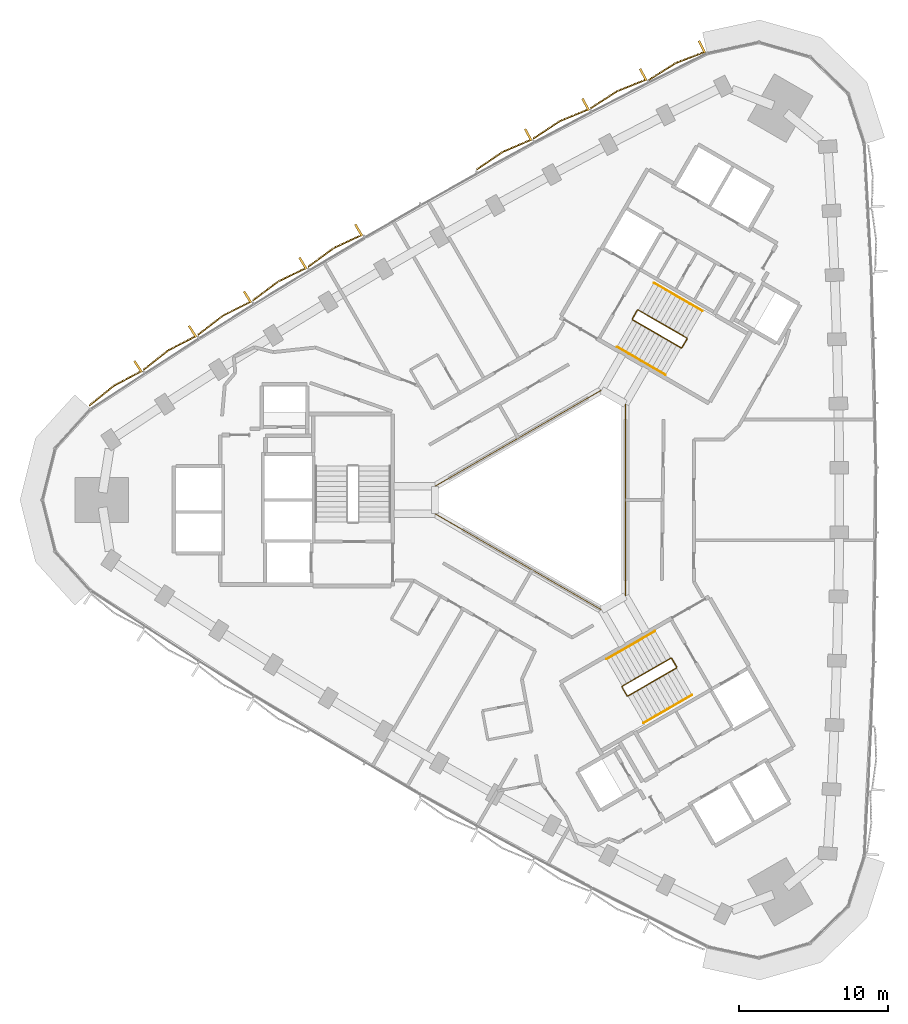
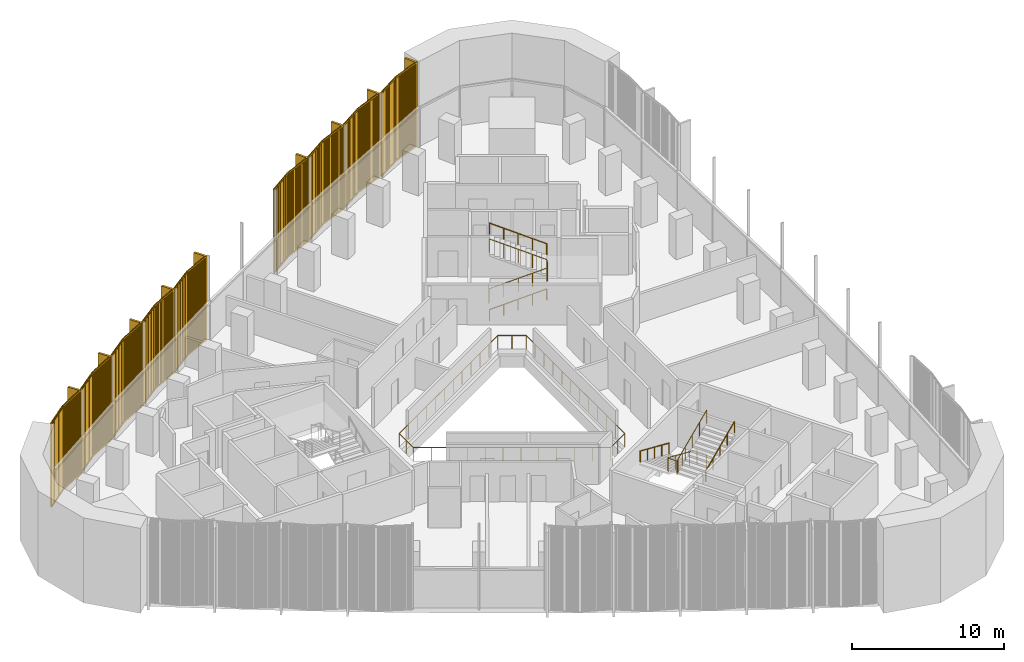
# One storey, part 13 of 14: 9 coverings, 7 railings.
"""IFC4 building model written with IfcOpenShell, lengths in metres."""

import ifcopenshell
import ifcopenshell.guid

model = None  # the IFC model being written
_history = None  # IfcOwnerHistory: only IFC2X3 demands one
_inside = {}  # id of a spatial element -> (the spatial element, [elements in it])
_under = {}  # id of a project, library or spatial element -> (it, [spatial elements below it])
_declared = {}  # id of a project -> (the project, [libraries it declares])
_typed = {}  # id of a type object -> (the type object, [elements of that type])
_made_of = {}  # id of a material, layer set ... -> (it, [elements and type objects made of it])


def new_model(schema):
    """Start an empty IFC model of exactly this schema.

    Asked for "IFC4X3", IfcOpenShell would pick the latest addendum, in which some entities
    have other attributes; the version numbers below select the first issue.
    IFC2X3 requires an IfcOwnerHistory on every rooted entity: one is made here for all.
    """
    global model, _history
    if schema == "IFC4X3":
        model = ifcopenshell.file(schema_version=(4, 3, 0, 0))
    else:
        model = ifcopenshell.file(schema=schema)
    _inside.clear()
    _under.clear()
    _declared.clear()
    _typed.clear()
    _made_of.clear()
    _history = None
    if model.schema == "IFC2X3":
        org = make("IfcOrganization", Name="unknown")
        user = make(
            "IfcPersonAndOrganization",
            ThePerson=make("IfcPerson", FamilyName="unknown"),
            TheOrganization=org,
        )
        app = make(
            "IfcApplication",
            ApplicationDeveloper=org,
            Version="unknown",
            ApplicationFullName="unknown",
            ApplicationIdentifier="unknown",
        )
        _history = make(
            "IfcOwnerHistory",
            OwningUser=user,
            OwningApplication=app,
            ChangeAction="ADDED",
            CreationDate=0,
        )
    return model


def make(cls, **values):
    """One entity of the class cls with the attributes given. An attribute that is None is left unset."""
    return model.create_entity(
        cls, **{name: value for name, value in values.items() if value is not None}
    )


def rooted(cls, **values):
    """An entity with a GlobalId (a new one), such as an element, a storey or a relation."""
    return make(cls, GlobalId=ifcopenshell.guid.new(), OwnerHistory=_history, **values)


def si_unit(unit_type, name, prefix=None):
    """IfcSIUnit, for example si_unit("LENGTHUNIT", "METRE", prefix="MILLI")."""
    return make("IfcSIUnit", UnitType=unit_type, Prefix=prefix, Name=name)


def assignment(units):
    """IfcUnitAssignment: the units of a project."""
    return None if units is None else make("IfcUnitAssignment", Units=units)


def point(xyz):
    """IfcCartesianPoint."""
    return None if xyz is None else make("IfcCartesianPoint", Coordinates=xyz)


def direction(xyz):
    """IfcDirection."""
    return None if xyz is None else make("IfcDirection", DirectionRatios=xyz)


def frame(location, z_axis=None, x_axis=None):
    """IfcAxis2Placement3D, a coordinate frame: its origin and axes. An axis left out is left unset."""
    return make(
        "IfcAxis2Placement3D",
        Location=point(location),
        Axis=direction(z_axis),
        RefDirection=direction(x_axis),
    )


def frame_2d(location, x_axis=None):
    """IfcAxis2Placement2D, a coordinate frame in the plane: its origin and x axis."""
    return make(
        "IfcAxis2Placement2D", Location=point(location), RefDirection=direction(x_axis)
    )


def origin():
    """The frame at (0, 0, 0) with its axes left unset."""
    return frame((0.0, 0.0, 0.0))


def origin_2d():
    """The frame at (0, 0) in the plane with its x axis left unset."""
    return frame_2d((0.0, 0.0))


def place(relative_to, where):
    """IfcLocalPlacement: puts the frame where relative to a parent placement (None: the world)."""
    return make(
        "IfcLocalPlacement", PlacementRelTo=relative_to, RelativePlacement=where
    )


def context(
    kind, dimensions, precision=None, world=None, true_north=None, identifier=None
):
    """IfcGeometricRepresentationContext, for example the 3D "Model" context."""
    return make(
        "IfcGeometricRepresentationContext",
        ContextIdentifier=identifier,
        ContextType=kind,
        CoordinateSpaceDimension=dimensions,
        Precision=precision,
        WorldCoordinateSystem=world,
        TrueNorth=true_north,
    )


def subcontext(parent, identifier, kind, view, scale=None):
    """IfcGeometricRepresentationSubContext, for example "Body" below "Model"."""
    return make(
        "IfcGeometricRepresentationSubContext",
        ContextIdentifier=identifier,
        ContextType=kind,
        ParentContext=parent,
        TargetScale=scale,
        TargetView=view,
    )


def project(units=None, contexts=None):
    """IfcProject with its units and contexts."""
    return rooted(
        "IfcProject",
        Name="project",
        RepresentationContexts=contexts,
        UnitsInContext=assignment(units),
    )


def spatial(cls, under=None, at=None, **own):
    """A site, building, storey or space (cls), placed at a placement, below another one or the project."""
    s = rooted(cls, ObjectPlacement=at, **own)
    if under is not None:
        _under.setdefault(under.id(), (under, []))[1].append(s)
    return s


def profile(cls, at=None, kind="AREA", **sizes):
    """A parametric profile (cls). Its sizes go by their IFC names, for example OverallWidth=200.0."""
    return make(cls, ProfileType=kind, Position=at, **sizes)


def rectangle(**sizes):
    """IfcRectangleProfileDef."""
    return profile("IfcRectangleProfileDef", **sizes)


def circle(**sizes):
    """IfcCircleProfileDef."""
    return profile("IfcCircleProfileDef", **sizes)


def extrude(swept, where, along, depth):
    """IfcExtrudedAreaSolid: the profile swept, set in the frame where, extruded along a direction by depth."""
    return make(
        "IfcExtrudedAreaSolid",
        SweptArea=swept,
        Position=where,
        ExtrudedDirection=direction(along),
        Depth=depth,
    )


def shape(context_of_items, identifier, shape_type, items):
    """IfcShapeRepresentation: the items that make up one representation, for example the "Body"."""
    return make(
        "IfcShapeRepresentation",
        ContextOfItems=context_of_items,
        RepresentationIdentifier=identifier,
        RepresentationType=shape_type,
        Items=items,
    )


def source(mapping_origin, context_of_items, identifier, shape_type, items):
    """IfcRepresentationMap: a shape defined once, which mapped items show again and again."""
    return make(
        "IfcRepresentationMap",
        MappingOrigin=mapping_origin,
        MappedRepresentation=shape(context_of_items, identifier, shape_type, items),
    )


def transform(
    local_origin,
    x_axis=None,
    y_axis=None,
    z_axis=None,
    scale=None,
    scale2=None,
    scale3=None,
    uniform=True,
):
    """IfcCartesianTransformationOperator3D, or its non-uniform kind. x_axis, y_axis, z_axis: its Axis1, 2, 3."""
    if uniform:
        return make(
            "IfcCartesianTransformationOperator3D",
            Axis1=direction(x_axis),
            Axis2=direction(y_axis),
            LocalOrigin=point(local_origin),
            Scale=scale,
            Axis3=direction(z_axis),
        )
    return make(
        "IfcCartesianTransformationOperator3DnonUniform",
        Axis1=direction(x_axis),
        Axis2=direction(y_axis),
        LocalOrigin=point(local_origin),
        Scale=scale,
        Axis3=direction(z_axis),
        Scale2=scale2,
        Scale3=scale3,
    )


def mapped(mapping_source, mapping_target):
    """IfcMappedItem: shows the shape of a source again, moved by a transform."""
    return make(
        "IfcMappedItem", MappingSource=mapping_source, MappingTarget=mapping_target
    )


def material(Name=None, Category=None):
    """IfcMaterial."""
    return make("IfcMaterial", Name=Name, Category=Category)


def made_of(thing, what):
    """Note that an element or type object is made of a material, layer set ...; save() writes the relation."""
    if what is not None:
        _made_of.setdefault(what.id(), (what, []))[1].append(thing)
    return thing


def type_object(cls, material=None, **own):
    """A type object (cls), such as IfcWallType, which elements share."""
    return made_of(rooted(cls, **own), material)


def element(
    cls,
    number,
    at=None,
    inside=None,
    cuts=None,
    type_object=None,
    material=None,
    context=None,
    identifier="Body",
    shape_type=None,
    held_by="IfcProductDefinitionShape",
    body=None,
    shapes=None,
    **own,
):
    """One element of the class cls, such as IfcWall. Its Tag is "e" and its number.

    at: its placement. inside: the storey or other place that contains it. cuts: it is an
    opening in that element (IfcRelVoidsElement). A single representation is given by context,
    identifier, shape_type and body (its items); several are given by shapes. held_by: the class
    of the entity that holds the representations. save() writes the other relations.
    """
    e = rooted(cls, Tag="e%d" % number, ObjectPlacement=at, **own)
    if body is not None:
        shapes = [shape(context, identifier, shape_type, body)]
    if shapes is not None:
        e.Representation = make(held_by, Representations=shapes)
    if inside is not None:
        _inside.setdefault(inside.id(), (inside, []))[1].append(e)
    if cuts is not None:
        rooted(
            "IfcRelVoidsElement", RelatingBuildingElement=cuts, RelatedOpeningElement=e
        )
    if type_object is not None:
        _typed.setdefault(type_object.id(), (type_object, []))[1].append(e)
    return made_of(e, material)


def aggregate(whole, parts):
    """IfcRelAggregates: a whole, such as a stair, and the parts it consists of."""
    return rooted("IfcRelAggregates", RelatingObject=whole, RelatedObjects=parts)


def save(model, path):
    """Write the relations noted so far, then the file.

    IfcRelAggregates (storeys below a building ...), IfcRelContainedInSpatialStructure (elements
    in a storey), IfcRelDefinesByType, IfcRelAssociatesMaterial and IfcRelDeclares: one each for
    every whole, place, type object, material and project.
    """
    for whole, parts in _under.values():
        aggregate(whole, parts)
    for where, things in _inside.values():
        rooted(
            "IfcRelContainedInSpatialStructure",
            RelatedElements=things,
            RelatingStructure=where,
        )
    for kind, things in _typed.values():
        rooted("IfcRelDefinesByType", RelatedObjects=things, RelatingType=kind)
    for what, things in _made_of.values():
        rooted("IfcRelAssociatesMaterial", RelatedObjects=things, RelatingMaterial=what)
    for by, libraries in _declared.values():
        rooted("IfcRelDeclares", RelatingContext=by, RelatedDefinitions=libraries)
    model.write(path)


model = new_model("IFC4")

# Units and contexts
model_context = context("Model", 3, precision=1e-05, world=origin(), true_north=direction((0.0, 1.0)))
body_context = subcontext(model_context, "Body", "Model", "MODEL_VIEW")
ifc_project = project(units=[si_unit("LENGTHUNIT", "METRE"), si_unit("AREAUNIT", "SQUARE_METRE"), si_unit("VOLUMEUNIT", "CUBIC_METRE"), si_unit("PLANEANGLEUNIT", "RADIAN"), si_unit("MASSUNIT", "GRAM", prefix="KILO")], contexts=[model_context])

# Site, building, storey
site_placement = place(None, origin())
site = spatial("IfcSite", under=ifc_project, at=site_placement, CompositionType="ELEMENT")
building_placement = place(site_placement, origin())
building = spatial("IfcBuilding", under=site, at=building_placement, Name="Tamra Quay Hotel Tower", CompositionType="ELEMENT")
storey_placement = place(building_placement, frame((0.0, 0.0, 139.60009765625)))
storey = spatial("IfcBuildingStorey", under=building, at=storey_placement, Name="L34", CompositionType="ELEMENT", Elevation=139.60009765625)

# Railings
ifc_material_1 = material(Name="Guard atrium edge 1100")
railing_type_1 = type_object("IfcRailingType", Name="Guard atrium edge 1100", PredefinedType="GUARDRAIL", material=ifc_material_1)
railing_1_placement = place(storey_placement, frame((4.800048828125, -6.466064453125, 0.0)))
element("IfcRailing", 1, at=railing_1_placement, inside=storey, type_object=railing_type_1, Name="G-A", PredefinedType="GUARDRAIL", context=body_context, shape_type="SweptSolid", body=[
    extrude(circle(Radius=0.02392578125, at=origin_2d()), frame((0.0, 0.0, 1.076171875), z_axis=(-0.86602275259, -0.500004591975, 0.0), x_axis=(0.500004591975, -0.86602275259, 0.0)), (0.0, 0.0, 1.0), 1.84765625),
    extrude(circle(Radius=0.02392578125, at=origin_2d()), frame((-1.60009765625, -0.923828125, 1.076171875), z_axis=(-0.86604129137, 0.499972480886, 0.0), x_axis=(-0.499972480886, -0.86604129137, 0.0)), (0.0, 0.0, 1.0), 12.932373046875),
    extrude(circle(Radius=0.02392578125, at=origin_2d()), frame((-12.800048828125, 5.5419921875, 1.076171875), z_axis=(0.0, 1.0, 0.0), x_axis=(-1.0, 0.0, 0.0)), (0.0, 0.0, 1.0), 1.84814453125),
    extrude(circle(Radius=0.02392578125, at=origin_2d()), frame((-12.800048828125, 7.39013671875, 1.076171875), z_axis=(0.86604129137, 0.499972480886, 0.0), x_axis=(-0.499972480886, 0.86604129137, 0.0)), (0.0, 0.0, 1.0), 12.932373046875),
    extrude(circle(Radius=0.02392578125, at=origin_2d()), frame((-1.60009765625, 13.85595703125, 1.076171875), z_axis=(0.86602275259, -0.500004591975, 0.0), x_axis=(0.500004591975, 0.86602275259, 0.0)), (0.0, 0.0, 1.0), 1.84765625),
    extrude(circle(Radius=0.02392578125, at=origin_2d()), frame((0.0, 12.93212890625, 1.076171875), z_axis=(0.0, -1.0, 0.0), x_axis=(1.0, 0.0, 0.0)), (0.0, 0.0, 1.0), 12.93212890625),
    extrude(circle(Radius=0.02099609375, at=origin_2d()), origin(), (0.0, 0.0, 1.0), 1.052001953125),
    extrude(circle(Radius=0.02099609375, at=origin_2d()), frame((-0.800048828125, -0.4619140625, 0.0)), (0.0, 0.0, 1.0), 1.052001953125),
    extrude(circle(Radius=0.02099609375, at=origin_2d()), frame((-1.60009765625, -0.923828125, 0.0)), (0.0, 0.0, 1.0), 1.052001953125),
    extrude(circle(Radius=0.02099609375, at=origin_2d()), frame((-2.6181640625, -0.3359375, 0.0)), (0.0, 0.0, 1.0), 1.052001953125),
    extrude(circle(Radius=0.02099609375, at=origin_2d()), frame((-3.636474609375, 0.251708984375, 0.0)), (0.0, 0.0, 1.0), 1.052001953125),
    extrude(circle(Radius=0.02099609375, at=origin_2d()), frame((-4.654541015625, 0.839599609375, 0.0)), (0.0, 0.0, 1.0), 1.052001953125),
    extrude(circle(Radius=0.02099609375, at=origin_2d()), frame((-5.6728515625, 1.427490234375, 0.0)), (0.0, 0.0, 1.0), 1.052001953125),
    extrude(circle(Radius=0.02099609375, at=origin_2d()), frame((-6.69091796875, 2.01513671875, 0.0)), (0.0, 0.0, 1.0), 1.052001953125),
    extrude(circle(Radius=0.02099609375, at=origin_2d()), frame((-7.709228515625, 2.60302734375, 0.0)), (0.0, 0.0, 1.0), 1.052001953125),
    extrude(circle(Radius=0.02099609375, at=origin_2d()), frame((-8.727294921875, 3.190673828125, 0.0)), (0.0, 0.0, 1.0), 1.052001953125),
    extrude(circle(Radius=0.02099609375, at=origin_2d()), frame((-9.74560546875, 3.778564453125, 0.0)), (0.0, 0.0, 1.0), 1.052001953125),
    extrude(circle(Radius=0.02099609375, at=origin_2d()), frame((-10.763671875, 4.366455078125, 0.0)), (0.0, 0.0, 1.0), 1.052001953125),
    extrude(circle(Radius=0.02099609375, at=origin_2d()), frame((-11.781982421875, 4.9541015625, 0.0)), (0.0, 0.0, 1.0), 1.052001953125),
    extrude(circle(Radius=0.02099609375, at=origin_2d()), frame((-12.800048828125, 5.5419921875, 0.0)), (0.0, 0.0, 1.0), 1.052001953125),
    extrude(circle(Radius=0.02099609375, at=origin_2d()), frame((-12.800048828125, 6.466064453125, 0.0)), (0.0, 0.0, 1.0), 1.052001953125),
    extrude(circle(Radius=0.02099609375, at=origin_2d()), frame((-12.800048828125, 7.39013671875, 0.0)), (0.0, 0.0, 1.0), 1.052001953125),
    extrude(circle(Radius=0.02099609375, at=origin_2d()), frame((-11.781982421875, 7.97802734375, 0.0)), (0.0, 0.0, 1.0), 1.052001953125),
    extrude(circle(Radius=0.02099609375, at=origin_2d()), frame((-10.763671875, 8.565673828125, 0.0)), (0.0, 0.0, 1.0), 1.052001953125),
    extrude(circle(Radius=0.02099609375, at=origin_2d()), frame((-9.74560546875, 9.153564453125, 0.0)), (0.0, 0.0, 1.0), 1.052001953125),
    extrude(circle(Radius=0.02099609375, at=origin_2d()), frame((-8.727294921875, 9.741455078125, 0.0)), (0.0, 0.0, 1.0), 1.052001953125),
    extrude(circle(Radius=0.02099609375, at=origin_2d()), frame((-7.709228515625, 10.3291015625, 0.0)), (0.0, 0.0, 1.0), 1.052001953125),
    extrude(circle(Radius=0.02099609375, at=origin_2d()), frame((-6.69091796875, 10.9169921875, 0.0)), (0.0, 0.0, 1.0), 1.052001953125),
    extrude(circle(Radius=0.02099609375, at=origin_2d()), frame((-5.6728515625, 11.504638671875, 0.0)), (0.0, 0.0, 1.0), 1.052001953125),
    extrude(circle(Radius=0.02099609375, at=origin_2d()), frame((-4.654541015625, 12.092529296875, 0.0)), (0.0, 0.0, 1.0), 1.052001953125),
    extrude(circle(Radius=0.02099609375, at=origin_2d()), frame((-3.636474609375, 12.680419921875, 0.0)), (0.0, 0.0, 1.0), 1.052001953125),
    extrude(circle(Radius=0.02099609375, at=origin_2d()), frame((-2.6181640625, 13.26806640625, 0.0)), (0.0, 0.0, 1.0), 1.052001953125),
    extrude(circle(Radius=0.02099609375, at=origin_2d()), frame((-1.60009765625, 13.85595703125, 0.0)), (0.0, 0.0, 1.0), 1.052001953125),
    extrude(circle(Radius=0.02099609375, at=origin_2d()), frame((-0.800048828125, 13.39404296875, 0.0)), (0.0, 0.0, 1.0), 1.052001953125),
    extrude(circle(Radius=0.02099609375, at=origin_2d()), frame((0.0, 12.93212890625, 0.0)), (0.0, 0.0, 1.0), 1.052001953125),
    extrude(circle(Radius=0.02099609375, at=origin_2d()), frame((0.0, 11.756591796875, 0.0)), (0.0, 0.0, 1.0), 1.052001953125),
    extrude(circle(Radius=0.02099609375, at=origin_2d()), frame((0.0, 10.580810546875, 0.0)), (0.0, 0.0, 1.0), 1.052001953125),
    extrude(circle(Radius=0.02099609375, at=origin_2d()), frame((0.0, 9.4052734375, 0.0)), (0.0, 0.0, 1.0), 1.052001953125),
    extrude(circle(Radius=0.02099609375, at=origin_2d()), frame((0.0, 8.2294921875, 0.0)), (0.0, 0.0, 1.0), 1.052001953125),
    extrude(circle(Radius=0.02099609375, at=origin_2d()), frame((0.0, 7.053955078125, 0.0)), (0.0, 0.0, 1.0), 1.052001953125),
    extrude(circle(Radius=0.02099609375, at=origin_2d()), frame((0.0, 5.878173828125, 0.0)), (0.0, 0.0, 1.0), 1.052001953125),
    extrude(circle(Radius=0.02099609375, at=origin_2d()), frame((0.0, 4.70263671875, 0.0)), (0.0, 0.0, 1.0), 1.052001953125),
    extrude(circle(Radius=0.02099609375, at=origin_2d()), frame((0.0, 3.52685546875, 0.0)), (0.0, 0.0, 1.0), 1.052001953125),
    extrude(circle(Radius=0.02099609375, at=origin_2d()), frame((0.0, 2.351318359375, 0.0)), (0.0, 0.0, 1.0), 1.052001953125),
    extrude(circle(Radius=0.02099609375, at=origin_2d()), frame((0.0, 1.175537109375, 0.0)), (0.0, 0.0, 1.0), 1.052001953125),
])
ifc_material_2 = material(Name="Stair guard 1100")
railing_type_2 = type_object("IfcRailingType", Name="Stair guard 1100", PredefinedType="GUARDRAIL", material=ifc_material_2)
railing_2_placement = place(storey_placement, frame((5.595458984375, 12.751953125, 0.0)))
element("IfcRailing", 2, at=railing_2_placement, inside=storey, type_object=railing_type_2, Name="GR", PredefinedType="GUARDRAIL", context=body_context, shape_type="SweptSolid", body=[
    extrude(circle(Radius=0.02392578125, at=origin_2d()), frame((0.0, 0.0, 1.076171875), z_axis=(-0.499765215335, -0.866160914346, 0.0), x_axis=(0.866160914346, -0.499765215335, 0.0)), (0.0, 0.0, 1.0), 0.658935546875),
    extrude(circle(Radius=0.02392578125, at=origin_2d()), frame((-0.329345703125, -0.57080078125, 1.076171875), z_axis=(0.110525977783, -0.411156637351, 0.904839338113), x_axis=(0.965715946433, 0.259601060869, 0.0)), (0.0, 0.0, 1.0), 0.165771484375),
    extrude(circle(Radius=0.02392578125, at=origin_2d()), frame((-0.31103515625, -0.638916015625, 1.22607421875), z_axis=(0.793078462799, -0.457933869594, 0.401650498471), x_axis=(0.500040788363, 0.866001853331, 0.0)), (0.0, 0.0, 1.0), 4.10791015625),
    extrude(circle(Radius=0.02392578125, at=origin_2d()), frame((2.94677734375, -2.52001953125, 2.8759765625), z_axis=(0.965948051503, 0.258736085224, 0.0), x_axis=(-0.258736085224, 0.965948051503, 0.0)), (0.0, 0.0, 1.0), 0.07080078125),
    extrude(circle(Radius=0.02392578125, at=origin_2d()), frame((3.01513671875, -2.501708984375, 2.8759765625), z_axis=(0.500043078269, 0.866000531106, 0.0), x_axis=(-0.866000531106, 0.500043078269, 0.0)), (0.0, 0.0, 1.0), 0.6591796875),
    extrude(circle(Radius=0.02392578125, at=origin_2d()), frame((3.3447265625, -1.930908203125, 2.8759765625), z_axis=(-0.110378772244, 0.410609032747, 0.905105932399), x_axis=(-0.965715946433, -0.259601060869, 0.0)), (0.0, 0.0, 1.0), 0.165771484375),
    extrude(circle(Radius=0.02392578125, at=origin_2d()), frame((3.326416015625, -1.86279296875, 3.02587890625), z_axis=(-0.793100512587, 0.457912285461, 0.401631567183), x_axis=(-0.500012686397, -0.866018079166, 0.0)), (0.0, 0.0, 1.0), 4.10791015625),
    extrude(circle(Radius=0.02099609375, at=origin_2d()), origin(), (0.0, 0.0, 1.0), 1.052001953125),
    extrude(circle(Radius=0.02099609375, at=origin_2d()), frame((-0.329345703125, -0.57080078125, 0.0)), (0.0, 0.0, 1.0), 1.052001953125),
    extrude(circle(Radius=0.02099609375, at=origin_2d()), frame((-0.31103515625, -0.638916015625, 0.14990234375)), (0.0, 0.0, 1.0), 1.052001953125),
    extrude(circle(Radius=0.02099609375, at=origin_2d()), frame((0.50341796875, -1.109130859375, 0.5625)), (0.0, 0.0, 1.0), 1.052001953125),
    extrude(circle(Radius=0.02099609375, at=origin_2d()), frame((1.31787109375, -1.57958984375, 0.974853515625)), (0.0, 0.0, 1.0), 1.052001953125),
    extrude(circle(Radius=0.02099609375, at=origin_2d()), frame((2.13232421875, -2.0498046875, 1.38720703125)), (0.0, 0.0, 1.0), 1.052001953125),
    extrude(circle(Radius=0.02099609375, at=origin_2d()), frame((2.94677734375, -2.52001953125, 1.7998046875)), (0.0, 0.0, 1.0), 1.052001953125),
    extrude(circle(Radius=0.02099609375, at=origin_2d()), frame((3.01513671875, -2.501708984375, 1.7998046875)), (0.0, 0.0, 1.0), 1.052001953125),
    extrude(circle(Radius=0.02099609375, at=origin_2d()), frame((3.3447265625, -1.930908203125, 1.7998046875)), (0.0, 0.0, 1.0), 1.052001953125),
    extrude(circle(Radius=0.02099609375, at=origin_2d()), frame((3.326416015625, -1.86279296875, 1.949951171875)), (0.0, 0.0, 1.0), 1.052001953125),
    extrude(circle(Radius=0.02099609375, at=origin_2d()), frame((2.511962890625, -1.392578125, 2.3623046875)), (0.0, 0.0, 1.0), 1.052001953125),
    extrude(circle(Radius=0.02099609375, at=origin_2d()), frame((1.697265625, -0.92236328125, 2.77490234375)), (0.0, 0.0, 1.0), 1.052001953125),
    extrude(circle(Radius=0.02099609375, at=origin_2d()), frame((0.8828125, -0.451904296875, 3.1875)), (0.0, 0.0, 1.0), 1.052001953125),
    extrude(circle(Radius=0.02099609375, at=origin_2d()), frame((0.068359375, 0.018310546875, 3.599853515625)), (0.0, 0.0, 1.0), 1.052001953125),
])
railing_3_placement = place(storey_placement, frame((8.245849609375, -11.221923828125, 0.0)))
element("IfcRailing", 3, at=railing_3_placement, inside=storey, type_object=railing_type_2, Name="GR", PredefinedType="GUARDRAIL", context=body_context, shape_type="SweptSolid", body=[
    extrude(circle(Radius=0.02392578125, at=origin_2d()), frame((0.0, 0.0, 1.076171875), z_axis=(-0.500043078269, 0.866000531106, 0.0), x_axis=(-0.866000531106, -0.500043078269, 0.0)), (0.0, 0.0, 1.0), 0.6591796875),
    extrude(circle(Radius=0.02392578125, at=origin_2d()), frame((-0.32958984375, 0.57080078125, 1.076171875), z_axis=(-0.41238007866, 0.110458949641, 0.904290601062), x_axis=(-0.258736085224, -0.965948051503, 0.0)), (0.0, 0.0, 1.0), 0.165771484375),
    extrude(circle(Radius=0.02392578125, at=origin_2d()), frame((-0.39794921875, 0.589111328125, 1.22607421875), z_axis=(-0.793100512587, -0.457912285461, 0.401631567183), x_axis=(0.500012686397, -0.866018079166, 0.0)), (0.0, 0.0, 1.0), 4.10791015625),
    extrude(circle(Radius=0.02392578125, at=origin_2d()), frame((-3.656005859375, -1.2919921875, 2.8759765625), z_axis=(-0.256368644879, -0.966579080015, 0.0), x_axis=(0.966579080015, -0.256368644879, 0.0)), (0.0, 0.0, 1.0), 0.070556640625),
    extrude(circle(Radius=0.02392578125, at=origin_2d()), frame((-3.674072265625, -1.360107421875, 2.8759765625), z_axis=(0.499765215335, -0.866160914346, 0.0), x_axis=(0.866160914346, 0.499765215335, 0.0)), (0.0, 0.0, 1.0), 0.658935546875),
    extrude(circle(Radius=0.02392578125, at=origin_2d()), frame((-3.3447265625, -1.930908203125, 2.8759765625), z_axis=(0.411831509231, -0.110312011401, 0.90455849349), x_axis=(0.258736085224, 0.965948051503, 0.0)), (0.0, 0.0, 1.0), 0.166015625),
    extrude(circle(Radius=0.02392578125, at=origin_2d()), frame((-3.2763671875, -1.94921875, 3.02587890625), z_axis=(0.793100512587, 0.457912285461, 0.401631567183), x_axis=(-0.500012686397, 0.866018079166, 0.0)), (0.0, 0.0, 1.0), 4.10791015625),
    extrude(circle(Radius=0.02099609375, at=origin_2d()), origin(), (0.0, 0.0, 1.0), 1.052001953125),
    extrude(circle(Radius=0.02099609375, at=origin_2d()), frame((-0.32958984375, 0.57080078125, 0.0)), (0.0, 0.0, 1.0), 1.052001953125),
    extrude(circle(Radius=0.02099609375, at=origin_2d()), frame((-0.39794921875, 0.589111328125, 0.14990234375)), (0.0, 0.0, 1.0), 1.052001953125),
    extrude(circle(Radius=0.02099609375, at=origin_2d()), frame((-1.21240234375, 0.118896484375, 0.5625)), (0.0, 0.0, 1.0), 1.052001953125),
    extrude(circle(Radius=0.02099609375, at=origin_2d()), frame((-2.02685546875, -0.3515625, 0.974853515625)), (0.0, 0.0, 1.0), 1.052001953125),
    extrude(circle(Radius=0.02099609375, at=origin_2d()), frame((-2.841552734375, -0.82177734375, 1.38720703125)), (0.0, 0.0, 1.0), 1.052001953125),
    extrude(circle(Radius=0.02099609375, at=origin_2d()), frame((-3.656005859375, -1.2919921875, 1.7998046875)), (0.0, 0.0, 1.0), 1.052001953125),
    extrude(circle(Radius=0.02099609375, at=origin_2d()), frame((-3.674072265625, -1.360107421875, 1.7998046875)), (0.0, 0.0, 1.0), 1.052001953125),
    extrude(circle(Radius=0.02099609375, at=origin_2d()), frame((-3.3447265625, -1.930908203125, 1.7998046875)), (0.0, 0.0, 1.0), 1.052001953125),
    extrude(circle(Radius=0.02099609375, at=origin_2d()), frame((-3.2763671875, -1.94921875, 1.949951171875)), (0.0, 0.0, 1.0), 1.052001953125),
    extrude(circle(Radius=0.02099609375, at=origin_2d()), frame((-2.4619140625, -1.47900390625, 2.3623046875)), (0.0, 0.0, 1.0), 1.052001953125),
    extrude(circle(Radius=0.02099609375, at=origin_2d()), frame((-1.6474609375, -1.0087890625, 2.77490234375)), (0.0, 0.0, 1.0), 1.052001953125),
    extrude(circle(Radius=0.02099609375, at=origin_2d()), frame((-0.832763671875, -0.538330078125, 3.1875)), (0.0, 0.0, 1.0), 1.052001953125),
    extrude(circle(Radius=0.02099609375, at=origin_2d()), frame((-0.018310546875, -0.068115234375, 3.599853515625)), (0.0, 0.0, 1.0), 1.052001953125),
])
ifc_material_3 = material(Name="Stair handrail 900")
railing_type_3 = type_object("IfcRailingType", Name="Stair handrail 900", PredefinedType="HANDRAIL", material=ifc_material_3)
railing_4_placement = place(storey_placement, frame((4.234375, 10.294189453125, 0.14990234375)))
element("IfcRailing", 4, at=railing_4_placement, inside=storey, type_object=railing_type_3, Name="HR", PredefinedType="HANDRAIL", context=body_context, shape_type="SweptSolid", body=[
    extrude(circle(Radius=0.02392578125, at=origin_2d()), frame((0.0, 0.0, 0.8759765625), z_axis=(0.793122095483, -0.45786531462, 0.401642496911), x_axis=(0.499964013922, 0.86604617936, 0.0)), (0.0, 0.0, 1.0), 4.10791015625),
    extrude(circle(Radius=0.02099609375, at=origin_2d()), origin(), (0.0, 0.0, 1.0), 0.851806640625),
    extrude(circle(Radius=0.02099609375, at=origin_2d()), frame((0.814453125, -0.47021484375, 0.41259765625)), (0.0, 0.0, 1.0), 0.851806640625),
    extrude(circle(Radius=0.02099609375, at=origin_2d()), frame((1.62890625, -0.9404296875, 0.824951171875)), (0.0, 0.0, 1.0), 0.851806640625),
    extrude(circle(Radius=0.02099609375, at=origin_2d()), frame((2.443603515625, -1.41064453125, 1.2373046875)), (0.0, 0.0, 1.0), 0.851806640625),
    extrude(circle(Radius=0.02099609375, at=origin_2d()), frame((3.258056640625, -1.880859375, 1.64990234375)), (0.0, 0.0, 1.0), 0.851806640625),
])
railing_5_placement = place(storey_placement, frame((9.971923828125, 12.7080078125, 1.949951171875)))
element("IfcRailing", 5, at=railing_5_placement, inside=storey, type_object=railing_type_3, Name="HR", PredefinedType="HANDRAIL", context=body_context, shape_type="SweptSolid", body=[
    extrude(circle(Radius=0.02392578125, at=origin_2d()), frame((0.0, 0.0, 0.8759765625), z_axis=(-0.793122095483, 0.45786531462, 0.401642496911), x_axis=(-0.499964013922, -0.86604617936, 0.0)), (0.0, 0.0, 1.0), 4.10791015625),
    extrude(circle(Radius=0.02099609375, at=origin_2d()), origin(), (0.0, 0.0, 1.0), 0.851806640625),
    extrude(circle(Radius=0.02099609375, at=origin_2d()), frame((-0.814453125, 0.47021484375, 0.41259765625)), (0.0, 0.0, 1.0), 0.851806640625),
    extrude(circle(Radius=0.02099609375, at=origin_2d()), frame((-1.62890625, 0.9404296875, 0.824951171875)), (0.0, 0.0, 1.0), 0.851806640625),
    extrude(circle(Radius=0.02099609375, at=origin_2d()), frame((-2.443603515625, 1.41064453125, 1.2373046875)), (0.0, 0.0, 1.0), 0.851806640625),
    extrude(circle(Radius=0.02099609375, at=origin_2d()), frame((-3.258056640625, 1.880859375, 1.64990234375)), (0.0, 0.0, 1.0), 0.851806640625),
])
railing_6_placement = place(storey_placement, frame((6.7978515625, -8.814208984375, 0.14990234375)))
element("IfcRailing", 6, at=railing_6_placement, inside=storey, type_object=railing_type_3, Name="HR", PredefinedType="HANDRAIL", context=body_context, shape_type="SweptSolid", body=[
    extrude(circle(Radius=0.02392578125, at=origin_2d()), frame((0.0, 0.0, 0.8759765625), z_axis=(-0.79310004713, -0.457886897714, 0.401661429744), x_axis=(0.499992114976, -0.866029956157, 0.0)), (0.0, 0.0, 1.0), 4.107666015625),
    extrude(circle(Radius=0.02099609375, at=origin_2d()), origin(), (0.0, 0.0, 1.0), 0.851806640625),
    extrude(circle(Radius=0.02099609375, at=origin_2d()), frame((-0.814453125, -0.47021484375, 0.41259765625)), (0.0, 0.0, 1.0), 0.851806640625),
    extrude(circle(Radius=0.02099609375, at=origin_2d()), frame((-1.62890625, -0.9404296875, 0.824951171875)), (0.0, 0.0, 1.0), 0.851806640625),
    extrude(circle(Radius=0.02099609375, at=origin_2d()), frame((-2.443359375, -1.41064453125, 1.2373046875)), (0.0, 0.0, 1.0), 0.851806640625),
    extrude(circle(Radius=0.02099609375, at=origin_2d()), frame((-3.2578125, -1.880859375, 1.64990234375)), (0.0, 0.0, 1.0), 0.851806640625),
])
railing_7_placement = place(storey_placement, frame((6.01953125, -14.98974609375, 1.949951171875)))
element("IfcRailing", 7, at=railing_7_placement, inside=storey, type_object=railing_type_3, Name="HR", PredefinedType="HANDRAIL", context=body_context, shape_type="SweptSolid", body=[
    extrude(circle(Radius=0.02392578125, at=origin_2d()), frame((0.0, 0.0, 0.8759765625), z_axis=(0.79310004713, 0.457886897714, 0.401661429744), x_axis=(-0.499992114976, 0.866029956157, 0.0)), (0.0, 0.0, 1.0), 4.107666015625),
    extrude(circle(Radius=0.02099609375, at=origin_2d()), origin(), (0.0, 0.0, 1.0), 0.851806640625),
    extrude(circle(Radius=0.02099609375, at=origin_2d()), frame((0.814453125, 0.47021484375, 0.41259765625)), (0.0, 0.0, 1.0), 0.851806640625),
    extrude(circle(Radius=0.02099609375, at=origin_2d()), frame((1.62890625, 0.9404296875, 0.824951171875)), (0.0, 0.0, 1.0), 0.851806640625),
    extrude(circle(Radius=0.02099609375, at=origin_2d()), frame((2.443359375, 1.41064453125, 1.2373046875)), (0.0, 0.0, 1.0), 0.851806640625),
    extrude(circle(Radius=0.02099609375, at=origin_2d()), frame((3.2578125, 1.880859375, 1.64990234375)), (0.0, 0.0, 1.0), 0.851806640625),
])

# Coverings
ifc_material_4 = material(Name="Terracotta baguette extruded", Category="masonry")
covering_type = type_object("IfcCoveringType", Name="BAGUETTE SCREEN NW-V H6800", PredefinedType="USERDEFINED", material=ifc_material_4)
shared_shape = source(origin(), body_context, "Body", "SweptSolid", [
    extrude(rectangle(XDim=2.142333984375, YDim=0.06005859375, at=frame_2d((1.0712890625, 0.030029296875))), frame((-2.13818359375, -0.0576171875, -0.1201171875), z_axis=(0.0, 0.0, 1.0), x_axis=(0.995396198367, -0.09584575252, 0.0)), (0.0, 0.0, 1.0), 0.1201171875),
    extrude(rectangle(XDim=2.142333984375, YDim=0.06005859375, at=frame_2d((1.0712890625, 0.030029296875))), frame((-2.13818359375, -0.0576171875, -6.800048828125), z_axis=(0.0, 0.0, 1.0), x_axis=(0.995396198367, -0.09584575252, 0.0)), (0.0, 0.0, 1.0), 0.1201171875),
    extrude(rectangle(XDim=0.070068359375, YDim=0.10009765625, at=frame_2d((0.03515625, 0.050048828125))), frame((-2.11669921875, -0.1328125, -6.739990234375)), (0.0, 0.0, 1.0), 6.679931640625),
    extrude(rectangle(XDim=0.070068359375, YDim=0.10009765625, at=frame_2d((0.03515625, 0.050048828125))), frame((-2.01513671875, -0.142578125, -6.739990234375)), (0.0, 0.0, 1.0), 6.679931640625),
    extrude(rectangle(XDim=0.070068359375, YDim=0.10009765625, at=frame_2d((0.03515625, 0.050048828125))), frame((-1.91357421875, -0.15234375, -6.739990234375)), (0.0, 0.0, 1.0), 6.679931640625),
    extrude(rectangle(XDim=0.070068359375, YDim=0.10009765625, at=frame_2d((0.03515625, 0.050048828125))), frame((-1.81201171875, -0.162109375, -6.739990234375)), (0.0, 0.0, 1.0), 6.679931640625),
    extrude(rectangle(XDim=0.070068359375, YDim=0.10009765625, at=frame_2d((0.03515625, 0.050048828125))), frame((-1.71044921875, -0.172119140625, -6.739990234375)), (0.0, 0.0, 1.0), 6.679931640625),
    extrude(rectangle(XDim=0.070068359375, YDim=0.10009765625, at=frame_2d((0.03515625, 0.050048828125))), frame((-1.60888671875, -0.181884765625, -6.739990234375)), (0.0, 0.0, 1.0), 6.679931640625),
    extrude(rectangle(XDim=0.070068359375, YDim=0.10009765625, at=frame_2d((0.03515625, 0.050048828125))), frame((-1.50732421875, -0.191650390625, -6.739990234375)), (0.0, 0.0, 1.0), 6.679931640625),
    extrude(rectangle(XDim=0.070068359375, YDim=0.10009765625, at=frame_2d((0.03515625, 0.050048828125))), frame((-1.406005859375, -0.201416015625, -6.739990234375)), (0.0, 0.0, 1.0), 6.679931640625),
    extrude(rectangle(XDim=0.070068359375, YDim=0.10009765625, at=frame_2d((0.03515625, 0.050048828125))), frame((-1.304443359375, -0.211181640625, -6.739990234375)), (0.0, 0.0, 1.0), 6.679931640625),
    extrude(rectangle(XDim=0.070068359375, YDim=0.10009765625, at=frame_2d((0.03515625, 0.050048828125))), frame((-1.202880859375, -0.220947265625, -6.739990234375)), (0.0, 0.0, 1.0), 6.679931640625),
    extrude(rectangle(XDim=0.070068359375, YDim=0.10009765625, at=frame_2d((0.03515625, 0.050048828125))), frame((-1.101318359375, -0.230712890625, -6.739990234375)), (0.0, 0.0, 1.0), 6.679931640625),
    extrude(rectangle(XDim=0.070068359375, YDim=0.10009765625, at=frame_2d((0.03515625, 0.050048828125))), frame((-0.999755859375, -0.240478515625, -6.739990234375)), (0.0, 0.0, 1.0), 6.679931640625),
    extrude(rectangle(XDim=0.070068359375, YDim=0.10009765625, at=frame_2d((0.03515625, 0.050048828125))), frame((-0.898193359375, -0.250244140625, -6.739990234375)), (0.0, 0.0, 1.0), 6.679931640625),
    extrude(rectangle(XDim=0.070068359375, YDim=0.10009765625, at=frame_2d((0.03515625, 0.050048828125))), frame((-0.796630859375, -0.260009765625, -6.739990234375)), (0.0, 0.0, 1.0), 6.679931640625),
    extrude(rectangle(XDim=0.070068359375, YDim=0.10009765625, at=frame_2d((0.03515625, 0.050048828125))), frame((-0.695068359375, -0.269775390625, -6.739990234375)), (0.0, 0.0, 1.0), 6.679931640625),
    extrude(rectangle(XDim=0.070068359375, YDim=0.10009765625, at=frame_2d((0.03515625, 0.050048828125))), frame((-0.593505859375, -0.279541015625, -6.739990234375)), (0.0, 0.0, 1.0), 6.679931640625),
    extrude(rectangle(XDim=0.070068359375, YDim=0.10009765625, at=frame_2d((0.03515625, 0.050048828125))), frame((-0.491943359375, -0.289306640625, -6.739990234375)), (0.0, 0.0, 1.0), 6.679931640625),
    extrude(rectangle(XDim=0.070068359375, YDim=0.10009765625, at=frame_2d((0.03515625, 0.050048828125))), frame((-0.390380859375, -0.299072265625, -6.739990234375)), (0.0, 0.0, 1.0), 6.679931640625),
    extrude(rectangle(XDim=0.070068359375, YDim=0.10009765625, at=frame_2d((0.03515625, 0.050048828125))), frame((-0.288818359375, -0.308837890625, -6.739990234375)), (0.0, 0.0, 1.0), 6.679931640625),
    extrude(rectangle(XDim=0.070068359375, YDim=0.10009765625, at=frame_2d((0.03515625, 0.050048828125))), frame((-0.187255859375, -0.318603515625, -6.739990234375)), (0.0, 0.0, 1.0), 6.679931640625),
    extrude(rectangle(XDim=0.070068359375, YDim=0.10009765625, at=frame_2d((0.03515625, 0.050048828125))), frame((-0.085693359375, -0.328369140625, -6.739990234375)), (0.0, 0.0, 1.0), 6.679931640625),
    extrude(rectangle(XDim=2.142333984375, YDim=0.06005859375, at=frame_2d((1.0712890625, 0.030029296875))), frame((0.005859375, -0.262939453125, -0.1201171875), z_axis=(0.0, 0.0, 1.0), x_axis=(0.995396198367, 0.09584575252, 0.0)), (0.0, 0.0, 1.0), 0.1201171875),
    extrude(rectangle(XDim=2.142333984375, YDim=0.06005859375, at=frame_2d((1.0712890625, 0.030029296875))), frame((0.005859375, -0.262939453125, -6.800048828125), z_axis=(0.0, 0.0, 1.0), x_axis=(0.995396198367, 0.09584575252, 0.0)), (0.0, 0.0, 1.0), 0.1201171875),
    extrude(rectangle(XDim=0.070068359375, YDim=0.10009765625, at=frame_2d((0.03515625, 0.050048828125))), frame((0.015869140625, -0.328369140625, -6.739990234375)), (0.0, 0.0, 1.0), 6.679931640625),
    extrude(rectangle(XDim=0.070068359375, YDim=0.10009765625, at=frame_2d((0.03515625, 0.050048828125))), frame((0.117431640625, -0.318603515625, -6.739990234375)), (0.0, 0.0, 1.0), 6.679931640625),
    extrude(rectangle(XDim=0.070068359375, YDim=0.10009765625, at=frame_2d((0.03515625, 0.050048828125))), frame((0.21875, -0.308837890625, -6.739990234375)), (0.0, 0.0, 1.0), 6.679931640625),
    extrude(rectangle(XDim=0.070068359375, YDim=0.10009765625, at=frame_2d((0.03515625, 0.050048828125))), frame((0.3203125, -0.299072265625, -6.739990234375)), (0.0, 0.0, 1.0), 6.679931640625),
    extrude(rectangle(XDim=0.070068359375, YDim=0.10009765625, at=frame_2d((0.03515625, 0.050048828125))), frame((0.421875, -0.289306640625, -6.739990234375)), (0.0, 0.0, 1.0), 6.679931640625),
    extrude(rectangle(XDim=0.070068359375, YDim=0.10009765625, at=frame_2d((0.03515625, 0.050048828125))), frame((0.5234375, -0.279541015625, -6.739990234375)), (0.0, 0.0, 1.0), 6.679931640625),
    extrude(rectangle(XDim=0.070068359375, YDim=0.10009765625, at=frame_2d((0.03515625, 0.050048828125))), frame((0.625, -0.269775390625, -6.739990234375)), (0.0, 0.0, 1.0), 6.679931640625),
    extrude(rectangle(XDim=0.070068359375, YDim=0.10009765625, at=frame_2d((0.03515625, 0.050048828125))), frame((0.7265625, -0.260009765625, -6.739990234375)), (0.0, 0.0, 1.0), 6.679931640625),
    extrude(rectangle(XDim=0.070068359375, YDim=0.10009765625, at=frame_2d((0.03515625, 0.050048828125))), frame((0.828125, -0.250244140625, -6.739990234375)), (0.0, 0.0, 1.0), 6.679931640625),
    extrude(rectangle(XDim=0.070068359375, YDim=0.10009765625, at=frame_2d((0.03515625, 0.050048828125))), frame((0.9296875, -0.240478515625, -6.739990234375)), (0.0, 0.0, 1.0), 6.679931640625),
    extrude(rectangle(XDim=0.070068359375, YDim=0.10009765625, at=frame_2d((0.03515625, 0.050048828125))), frame((1.03125, -0.230712890625, -6.739990234375)), (0.0, 0.0, 1.0), 6.679931640625),
    extrude(rectangle(XDim=0.070068359375, YDim=0.10009765625, at=frame_2d((0.03515625, 0.050048828125))), frame((1.1328125, -0.220947265625, -6.739990234375)), (0.0, 0.0, 1.0), 6.679931640625),
    extrude(rectangle(XDim=0.070068359375, YDim=0.10009765625, at=frame_2d((0.03515625, 0.050048828125))), frame((1.234375, -0.211181640625, -6.739990234375)), (0.0, 0.0, 1.0), 6.679931640625),
    extrude(rectangle(XDim=0.070068359375, YDim=0.10009765625, at=frame_2d((0.03515625, 0.050048828125))), frame((1.3359375, -0.201416015625, -6.739990234375)), (0.0, 0.0, 1.0), 6.679931640625),
    extrude(rectangle(XDim=0.070068359375, YDim=0.10009765625, at=frame_2d((0.03515625, 0.050048828125))), frame((1.4375, -0.191650390625, -6.739990234375)), (0.0, 0.0, 1.0), 6.679931640625),
    extrude(rectangle(XDim=0.070068359375, YDim=0.10009765625, at=frame_2d((0.03515625, 0.050048828125))), frame((1.5390625, -0.181884765625, -6.739990234375)), (0.0, 0.0, 1.0), 6.679931640625),
    extrude(rectangle(XDim=0.070068359375, YDim=0.10009765625, at=frame_2d((0.03515625, 0.050048828125))), frame((1.640625, -0.172119140625, -6.739990234375)), (0.0, 0.0, 1.0), 6.679931640625),
    extrude(rectangle(XDim=0.070068359375, YDim=0.10009765625, at=frame_2d((0.03515625, 0.050048828125))), frame((1.7421875, -0.162109375, -6.739990234375)), (0.0, 0.0, 1.0), 6.679931640625),
    extrude(rectangle(XDim=0.070068359375, YDim=0.10009765625, at=frame_2d((0.03515625, 0.050048828125))), frame((1.84375, -0.15234375, -6.739990234375)), (0.0, 0.0, 1.0), 6.679931640625),
    extrude(rectangle(XDim=0.070068359375, YDim=0.10009765625, at=frame_2d((0.03515625, 0.050048828125))), frame((1.945068359375, -0.142578125, -6.739990234375)), (0.0, 0.0, 1.0), 6.679931640625),
    extrude(rectangle(XDim=0.070068359375, YDim=0.10009765625, at=frame_2d((0.03515625, 0.050048828125))), frame((2.046630859375, -0.1328125, -6.739990234375)), (0.0, 0.0, 1.0), 6.679931640625),
    extrude(rectangle(XDim=0.14990234375, YDim=0.902099609375, at=frame_2d((0.074951171875, 0.451171875))), frame((-2.132568359375, -0.89990234375, -6.800048828125)), (0.0, 0.0, 1.0), 6.800048828125),
])
for number, where, z_axis, x_axis, name in (
    (8, (8.2978515625, 29.131591796875, 6.7998046875), (0.0, 0.0, 1.0), (-0.894304566387, -0.447458760713, 0.0), "Baguette screen L34.NW.f00"),
    (9, (4.371337890625, 27.249755859375, 6.7998046875), (0.0, 0.0, 1.0), (-0.888911370016, -0.458079224868, 0.0), "Baguette screen L34.NW.f01"),
    (10, (0.512939453125, 25.232421875, 6.7998046875), (0.0, 0.0, 1.0), (-0.883391558979, -0.468635629808, 0.0), "Baguette screen L34.NW.f02"),
    (11, (-3.32177734375, 23.16845703125, 6.7998046875), (0.0, 0.0, 1.0), (-0.877726039589, -0.479162810981, 0.0), "Baguette screen L34.NW.f03"),
    (12, (-14.67236328125, 16.705322265625, 6.7998046875), (0.0, 0.0, 1.0), (-0.859985065369, -0.510319201424, 0.0), "Baguette screen L34.NW.f06"),
    (13, (-18.403564453125, 14.461181640625, 6.7998046875), (0.0, 0.0, 1.0), (-0.853830186653, -0.520551642357, 0.0), "Baguette screen L34.NW.f07"),
    (14, (-22.1083984375, 12.171875, 6.7998046875), (0.0, 0.0, 1.0), (-0.847546140021, -0.530721716661, 0.0), "Baguette screen L34.NW.f08"),
    (15, (-25.78466796875, 9.839111328125, 6.7998046875), (0.0, 0.0, 1.0), (-0.84116393069, -0.540780215713, 0.0), "Baguette screen L34.NW.f09"),
    (16, (-29.432861328125, 7.463134765625, 6.7998046875), (0.0, 0.0, 1.0), (-0.834662937117, -0.550761092856, 0.0), "Baguette screen L34.NW.f10"),
):
    element("IfcCovering", number, at=place(storey_placement, frame(where, z_axis=z_axis, x_axis=x_axis)), inside=storey, type_object=covering_type, Name=name, ObjectType="BAGUETTE SCREEN", PredefinedType="USERDEFINED", context=body_context, shape_type="MappedRepresentation", body=[
        mapped(shared_shape, transform((0.0, 0.0, 0.0), scale=1.0)),
    ])

save(model, "model.ifc")
